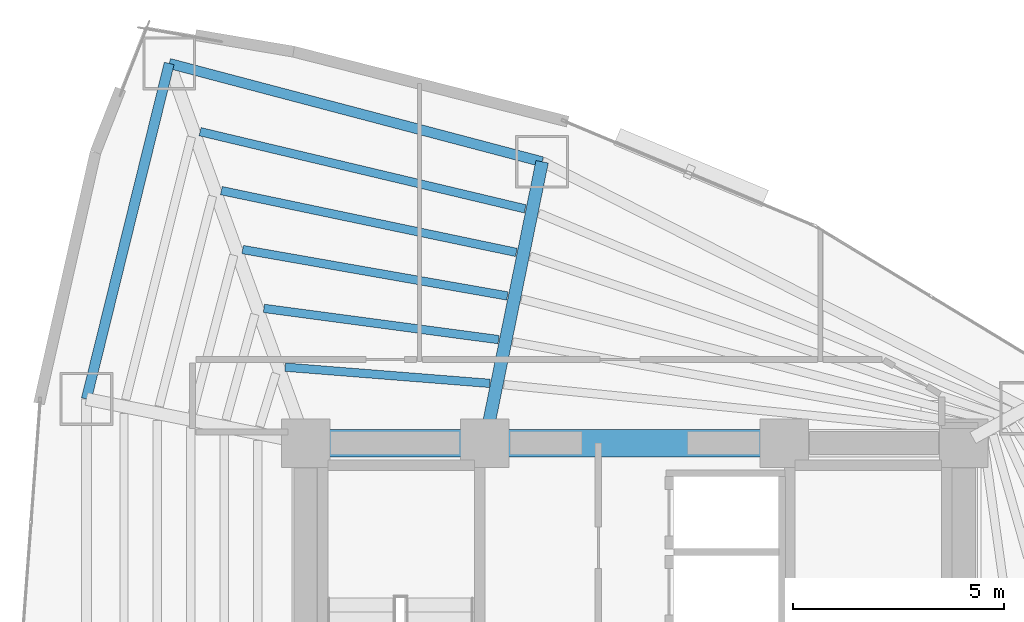
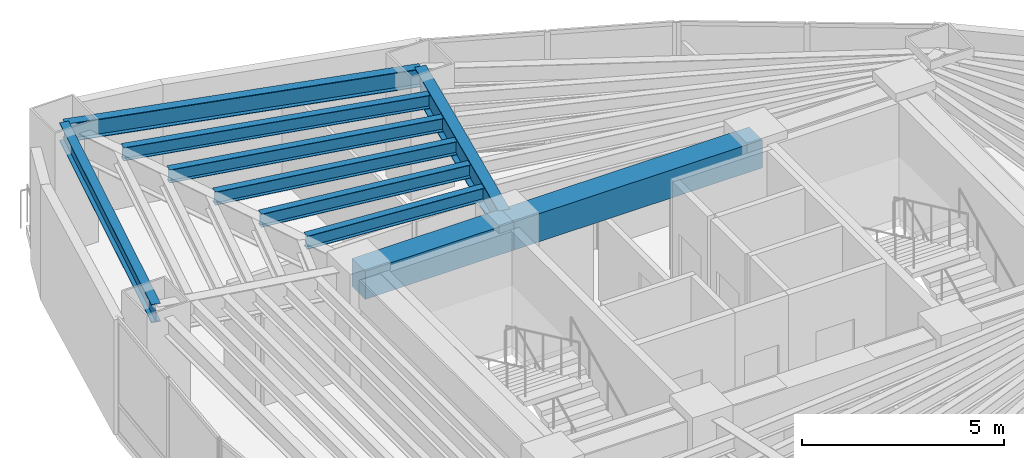
# One storey, part 8 of 18: 10 beams.
"""IFC4 building model written with IfcOpenShell, lengths in metres."""

from ifc_helpers import new_model, si_unit, direction, frame, origin, origin_2d, place, context, subcontext, project, spatial, rectangle, i_section, extrude, material, material_profile, profile_set, type_object, element, save


model = new_model("IFC4")

# Units and contexts
model_context = context("Model", 3, precision=1e-05, world=origin(), true_north=direction((0.0, 1.0)))
body_context = subcontext(model_context, "Body", "Model", "MODEL_VIEW")
ifc_project = project(units=[si_unit("LENGTHUNIT", "METRE"), si_unit("AREAUNIT", "SQUARE_METRE"), si_unit("VOLUMEUNIT", "CUBIC_METRE"), si_unit("PLANEANGLEUNIT", "RADIAN"), si_unit("MASSUNIT", "GRAM", prefix="KILO")], contexts=[model_context])

# Site, building, storey
site_placement = place(None, origin())
site = spatial("IfcSite", under=ifc_project, at=site_placement, CompositionType="ELEMENT")
building_placement = place(site_placement, origin())
building = spatial("IfcBuilding", under=site, at=building_placement, Name="Menara Vayukalpa", CompositionType="ELEMENT")
storey_placement = place(building_placement, frame((0.0, 0.0, 126.300048828125)))
storey = spatial("IfcBuildingStorey", under=building, at=storey_placement, Name="L31", CompositionType="ELEMENT", Elevation=126.300048828125)

# Beams
ifc_material_1 = material(Name="Concrete C60/75", Category="concrete")
ifc_material_profile_1 = material_profile(ifc_material_1, rectangle(XDim=0.64990234375, YDim=0.85009765625, at=origin_2d()), Name="RC 650x850")
ifc_profile_set_1 = profile_set([ifc_material_profile_1], Name="Concrete C60/75")
beam_type_1 = type_object("IfcBeamType", Name="BM-CB1", PredefinedType="BEAM", material=ifc_profile_set_1)
beam_1_placement = place(storey_placement, frame((17.800048828125, 26.800048828125, 3.044921875), z_axis=(1.0, 0.0, 0.0), x_axis=(0.0, 1.0, 0.0)))
element("IfcBeam", 1, at=beam_1_placement, inside=storey, type_object=beam_type_1, Name="L31 Core Tie Beam CBR4", PredefinedType="BEAM", context=body_context, shape_type="SweptSolid", body=[
    extrude(rectangle(XDim=0.64990234375, YDim=0.85009765625, at=origin_2d()), origin(), (0.0, 0.0, 1.0), 4.25),
])
beam_2_placement = place(storey_placement, frame((22.050048828125, 26.800048828125, 3.044921875), z_axis=(1.0, 0.0, 0.0), x_axis=(0.0, 1.0, 0.0)))
element("IfcBeam", 2, at=beam_2_placement, inside=storey, type_object=beam_type_1, Name="L31 Core Tie Beam CBR5", PredefinedType="BEAM", context=body_context, shape_type="SweptSolid", body=[
    extrude(rectangle(XDim=0.64990234375, YDim=0.85009765625, at=origin_2d()), origin(), (0.0, 0.0, 1.0), 7.099853515625),
])
ifc_material_2 = material(Name="Steel S355", Category="steel")
ifc_material_profile_2 = material_profile(ifc_material_2, i_section(OverallWidth=0.300048828125, OverallDepth=0.800048828125, WebThickness=0.013916015625, FlangeThickness=0.02587890625, at=origin_2d()), Name="WF 800x300x14x26")
ifc_profile_set_2 = profile_set([ifc_material_profile_2], Name="Steel S355")
beam_type_2 = type_object("IfcBeamType", Name="BM-PG3", PredefinedType="BEAM", material=ifc_profile_set_2)
beam_3_placement = place(storey_placement, frame((22.099853515625, 27.044921875, 3.070068359375), z_axis=(0.199617728418, 0.9798738503, 0.0), x_axis=(-0.9798738503, 0.199617728418, 0.0)))
element("IfcBeam", 3, at=beam_3_placement, inside=storey, type_object=beam_type_2, Name="L31 Primary Radial Girder RG03", PredefinedType="BEAM", context=body_context, shape_type="SweptSolid", body=[
    extrude(i_section(OverallWidth=0.300048828125, OverallDepth=0.800048828125, WebThickness=0.013916015625, FlangeThickness=0.02587890625, at=origin_2d()), origin(), (0.0, 0.0, 1.0), 6.55419921875),
])
ifc_material_3 = material(Name="Steel S355", Category="steel")
ifc_material_profile_3 = material_profile(ifc_material_3, i_section(OverallWidth=0.199951171875, OverallDepth=0.39990234375, WebThickness=0.008056640625, FlangeThickness=0.012939453125, at=origin_2d()), Name="WF 400x200x8x13")
ifc_profile_set_3 = profile_set([ifc_material_profile_3], Name="Steel S355")
beam_type_3 = type_object("IfcBeamType", Name="BM-SJ2", PredefinedType="JOIST", material=ifc_profile_set_3)
beam_4_placement = place(storey_placement, frame((22.166015625, 28.214599609375, 3.27001953125), z_axis=(-0.996868534468, 0.079076703187, 0.0), x_axis=(-0.079076703187, -0.996868534468, 0.0)))
element("IfcBeam", 4, at=beam_4_placement, inside=storey, type_object=beam_type_3, Name="L31 Secondary Floor Joist SJ03-1", PredefinedType="JOIST", context=body_context, shape_type="SweptSolid", body=[
    extrude(i_section(OverallWidth=0.199951171875, OverallDepth=0.39990234375, WebThickness=0.008056640625, FlangeThickness=0.012939453125, at=origin_2d()), origin(), (0.0, 0.0, 1.0), 4.862548828125),
])
beam_5_placement = place(storey_placement, frame((22.376220703125, 29.251220703125, 3.27001953125), z_axis=(-0.991248408809, 0.132009817941, 0.0), x_axis=(-0.132009817941, -0.991248408809, 0.0)))
element("IfcBeam", 5, at=beam_5_placement, inside=storey, type_object=beam_type_3, Name="L31 Secondary Floor Joist SJ03-2", PredefinedType="JOIST", context=body_context, shape_type="SweptSolid", body=[
    extrude(i_section(OverallWidth=0.199951171875, OverallDepth=0.39990234375, WebThickness=0.008056640625, FlangeThickness=0.012939453125, at=origin_2d()), origin(), (0.0, 0.0, 1.0), 5.611083984375),
])
beam_6_placement = place(storey_placement, frame((22.586669921875, 30.28564453125, 3.27001953125), z_axis=(-0.984953935883, 0.172817083033, 0.0), x_axis=(-0.172817083033, -0.984953935883, 0.0)))
element("IfcBeam", 6, at=beam_6_placement, inside=storey, type_object=beam_type_3, Name="L31 Secondary Floor Joist SJ03-3", PredefinedType="JOIST", context=body_context, shape_type="SweptSolid", body=[
    extrude(i_section(OverallWidth=0.199951171875, OverallDepth=0.39990234375, WebThickness=0.008056640625, FlangeThickness=0.012939453125, at=origin_2d()), origin(), (0.0, 0.0, 1.0), 6.372802734375),
])
beam_7_placement = place(storey_placement, frame((22.797119140625, 31.318603515625, 3.27001953125), z_axis=(-0.978749487369, 0.205059603471, 0.0), x_axis=(-0.205059603471, -0.978749487369, 0.0)))
element("IfcBeam", 7, at=beam_7_placement, inside=storey, type_object=beam_type_3, Name="L31 Secondary Floor Joist SJ03-4", PredefinedType="JOIST", context=body_context, shape_type="SweptSolid", body=[
    extrude(i_section(OverallWidth=0.199951171875, OverallDepth=0.39990234375, WebThickness=0.008056640625, FlangeThickness=0.012939453125, at=origin_2d()), origin(), (0.0, 0.0, 1.0), 7.1435546875),
])
beam_8_placement = place(storey_placement, frame((23.00732421875, 32.3505859375, 3.27001953125), z_axis=(-0.97293603101, 0.231074619036, 0.0), x_axis=(-0.231074619036, -0.97293603101, 0.0)))
element("IfcBeam", 8, at=beam_8_placement, inside=storey, type_object=beam_type_3, Name="L31 Secondary Floor Joist SJ03-5", PredefinedType="JOIST", context=body_context, shape_type="SweptSolid", body=[
    extrude(i_section(OverallWidth=0.199951171875, OverallDepth=0.39990234375, WebThickness=0.008056640625, FlangeThickness=0.012939453125, at=origin_2d()), origin(), (0.0, 0.0, 1.0), 7.9208984375),
])
ifc_material_4 = material(Name="Steel S355", Category="steel")
ifc_material_profile_4 = material_profile(ifc_material_4, i_section(OverallWidth=0.239990234375, OverallDepth=0.550048828125, WebThickness=0.010986328125, FlangeThickness=0.01904296875, at=origin_2d()), Name="WF 550x240x11x19")
ifc_profile_set_4 = profile_set([ifc_material_profile_4], Name="Steel S355")
beam_type_4 = type_object("IfcBeamType", Name="BM-SP2", PredefinedType="SPANDREL", material=ifc_profile_set_4)
beam_9_placement = place(storey_placement, frame((23.408203125, 33.46728515625, 3.195068359375), z_axis=(-0.966966857313, 0.254902131921, 0.0), x_axis=(-0.254902131921, -0.966966857313, 0.0)))
element("IfcBeam", 9, at=beam_9_placement, inside=storey, type_object=beam_type_4, Name="L31 Perimeter Spandrel Beam SP03", PredefinedType="SPANDREL", context=body_context, shape_type="SweptSolid", body=[
    extrude(i_section(OverallWidth=0.239990234375, OverallDepth=0.550048828125, WebThickness=0.010986328125, FlangeThickness=0.01904296875, at=origin_2d()), origin(), (0.0, 0.0, 1.0), 9.14111328125),
])
beam_10_placement = place(storey_placement, frame((14.569091796875, 35.79736328125, 3.195068359375), z_axis=(-0.239602739234, -0.970871014786, 0.0), x_axis=(0.970871014786, -0.239602739234, 0.0)))
element("IfcBeam", 10, at=beam_10_placement, inside=storey, type_object=beam_type_4, Name="L31 Perimeter Spandrel Beam SP04", PredefinedType="SPANDREL", context=body_context, shape_type="SweptSolid", body=[
    extrude(i_section(OverallWidth=0.239990234375, OverallDepth=0.550048828125, WebThickness=0.010986328125, FlangeThickness=0.01904296875, at=origin_2d()), origin(), (0.0, 0.0, 1.0), 8.190185546875),
])

save(model, "model.ifc")
